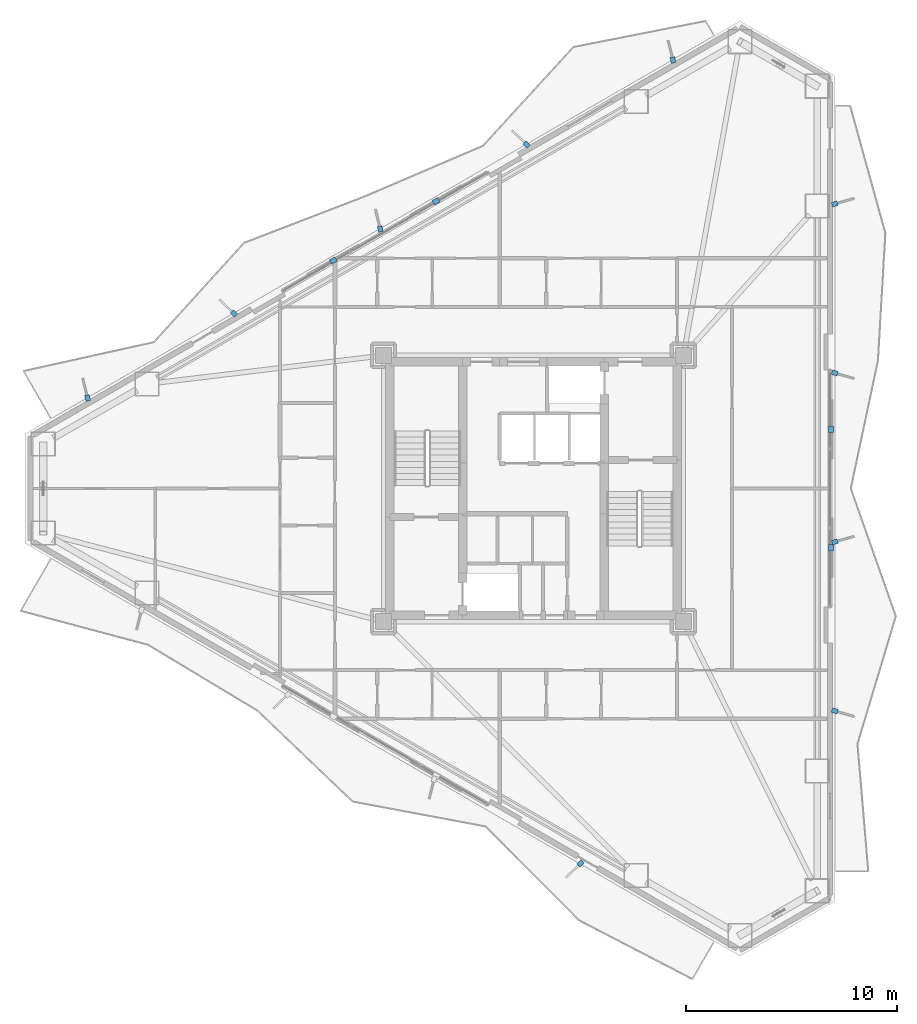
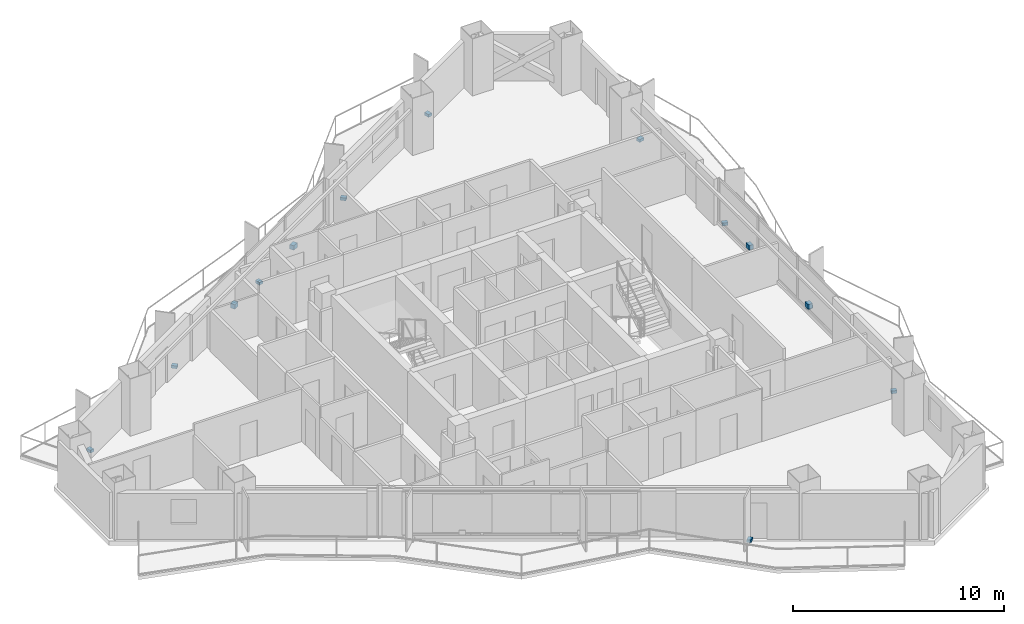
# One storey, part 20 of 22: 14 discrete accessories.
"""IFC4 building model written with IfcOpenShell, lengths in metres."""

from ifc_helpers import new_model, si_unit, direction, frame, origin, origin_2d, place, context, subcontext, project, spatial, rectangle, extrude, material, layer, layer_set, type_object, element, save


model = new_model("IFC4")

# Units and contexts
model_context = context("Model", 3, precision=1e-05, world=origin(), true_north=direction((0.0, 1.0)))
body_context = subcontext(model_context, "Body", "Model", "MODEL_VIEW")
ifc_project = project(units=[si_unit("LENGTHUNIT", "METRE"), si_unit("AREAUNIT", "SQUARE_METRE"), si_unit("VOLUMEUNIT", "CUBIC_METRE"), si_unit("PLANEANGLEUNIT", "RADIAN"), si_unit("MASSUNIT", "GRAM", prefix="KILO")], contexts=[model_context])

# Site, building, storey
site_placement = place(None, origin())
site = spatial("IfcSite", under=ifc_project, at=site_placement, CompositionType="ELEMENT")
building_placement = place(site_placement, origin())
building = spatial("IfcBuilding", under=site, at=building_placement, Name="Mersakhor Tower and Convention Hall", CompositionType="ELEMENT")
storey_placement = place(building_placement, frame((0.0, 0.0, 99.89990234375)))
storey = spatial("IfcBuildingStorey", under=building, at=storey_placement, Name="L27", CompositionType="ELEMENT", Elevation=99.89990234375)

# Discrete accessories
ifc_material = material(Name="Galvanised steel bracket", Category="steel")
ifc_layer = layer(ifc_material, 0.02001953125)
ifc_layer_set = layer_set([ifc_layer], Name="Galvanised steel bracket")
discrete_accessory_type = type_object("IfcDiscreteAccessoryType", Name="ACC-BRK-STL", PredefinedType="BRACKET", material=ifc_layer_set)
for number, where, z_axis, x_axis, name in (
    (1, (19.5263671875, 37.5439453125, 0.2900390625), (0.0, 0.0, 1.0), (0.866025403784, 0.5, 0.0), "L27 Solar Screen Outrigger Bracket BRK-1-1"),
    (2, (24.388916015625, 40.351318359375, 0.2900390625), (0.0, 0.0, 1.0), (0.866025403784, 0.5, 0.0), "L27 Solar Screen Outrigger Bracket BRK-1-2"),
):
    element("IfcDiscreteAccessory", number, at=place(storey_placement, frame(where, z_axis=z_axis, x_axis=x_axis)), inside=storey, type_object=discrete_accessory_type, Name=name, PredefinedType="BRACKET", context=body_context, shape_type="SweptSolid", body=[
        extrude(rectangle(XDim=0.300048828125, YDim=0.239990234375, at=origin_2d()), origin(), (0.0, 0.0, 1.0), 0.260009765625),
    ])
for number, where, z_axis, x_axis, name in (
    (3, (7.89111328125, 31.0341796875, -0.02001953125), (0.0, 0.0, 1.0), (-0.2419218956, 0.970295726276, 0.0), "L27 Facade Fin Base Cleat Bracket FBRK-1-1"),
    (4, (14.8193359375, 35.0341796875, -0.02001953125), (0.0, 0.0, 1.0), (-0.719339800339, 0.694658370459, 0.0), "L27 Facade Fin Base Cleat Bracket FBRK-1-2"),
    (5, (21.74755859375, 39.0341796875, -0.02001953125), (0.0, 0.0, 1.0), (-0.2419218956, 0.970295726276, 0.0), "L27 Facade Fin Base Cleat Bracket FBRK-1-3"),
    (6, (28.67578125, 43.0341796875, -0.02001953125), (0.0, 0.0, 1.0), (-0.719339800339, 0.694658370459, 0.0), "L27 Facade Fin Base Cleat Bracket FBRK-1-4"),
    (7, (35.60400390625, 47.0341796875, -0.02001953125), (0.0, 0.0, 1.0), (-0.2419218956, 0.970295726276, 0.0), "L27 Facade Fin Base Cleat Bracket FBRK-1-5"),
):
    element("IfcDiscreteAccessory", number, at=place(storey_placement, frame(where, z_axis=z_axis, x_axis=x_axis)), inside=storey, type_object=discrete_accessory_type, Name=name, PredefinedType="BRACKET", context=body_context, shape_type="SweptSolid", body=[
        extrude(rectangle(XDim=0.280029296875, YDim=0.219970703125, at=origin_2d()), origin(), (0.0, 0.0, 1.0), 0.159912109375),
    ])
for number, where, z_axis, x_axis, name in (
    (8, (43.084716796875, 29.557373046875, 0.2900390625), (0.0, 0.0, 1.0), (0.0, -1.0, 0.0), "L27 Solar Screen Outrigger Bracket BRK-2-1"),
    (9, (43.084716796875, 23.942626953125, 0.2900390625), (0.0, 0.0, 1.0), (0.0, -1.0, 0.0), "L27 Solar Screen Outrigger Bracket BRK-2-2"),
):
    element("IfcDiscreteAccessory", number, at=place(storey_placement, frame(where, z_axis=z_axis, x_axis=x_axis)), inside=storey, type_object=discrete_accessory_type, Name=name, PredefinedType="BRACKET", context=body_context, shape_type="SweptSolid", body=[
        extrude(rectangle(XDim=0.300048828125, YDim=0.239990234375, at=origin_2d()), origin(), (0.0, 0.0, 1.0), 0.260009765625),
    ])
for number, where, z_axis, x_axis, name in (
    (10, (43.2646484375, 40.221923828125, -0.02001953125), (0.0, 0.0, 1.0), (0.961261695938, 0.275637355817, 0.0), "L27 Facade Fin Base Cleat Bracket FBRK-2-1"),
    (11, (43.2646484375, 32.221923828125, -0.02001953125), (0.0, 0.0, 1.0), (0.961261695938, -0.275637355817, 0.0), "L27 Facade Fin Base Cleat Bracket FBRK-2-2"),
    (12, (43.2646484375, 24.221923828125, -0.02001953125), (0.0, 0.0, 1.0), (0.961261695938, 0.275637355817, 0.0), "L27 Facade Fin Base Cleat Bracket FBRK-2-3"),
    (13, (43.2646484375, 16.221923828125, -0.02001953125), (0.0, 0.0, 1.0), (0.961261695938, -0.275637355817, 0.0), "L27 Facade Fin Base Cleat Bracket FBRK-2-4"),
    (14, (31.225341796875, 8.993896484375, -0.02001953125), (0.0, 0.0, 1.0), (-0.719339800339, -0.694658370459, 0.0), "L27 Facade Fin Base Cleat Bracket FBRK-3-1"),
):
    element("IfcDiscreteAccessory", number, at=place(storey_placement, frame(where, z_axis=z_axis, x_axis=x_axis)), inside=storey, type_object=discrete_accessory_type, Name=name, PredefinedType="BRACKET", context=body_context, shape_type="SweptSolid", body=[
        extrude(rectangle(XDim=0.280029296875, YDim=0.219970703125, at=origin_2d()), origin(), (0.0, 0.0, 1.0), 0.159912109375),
    ])

save(model, "model.ifc")
